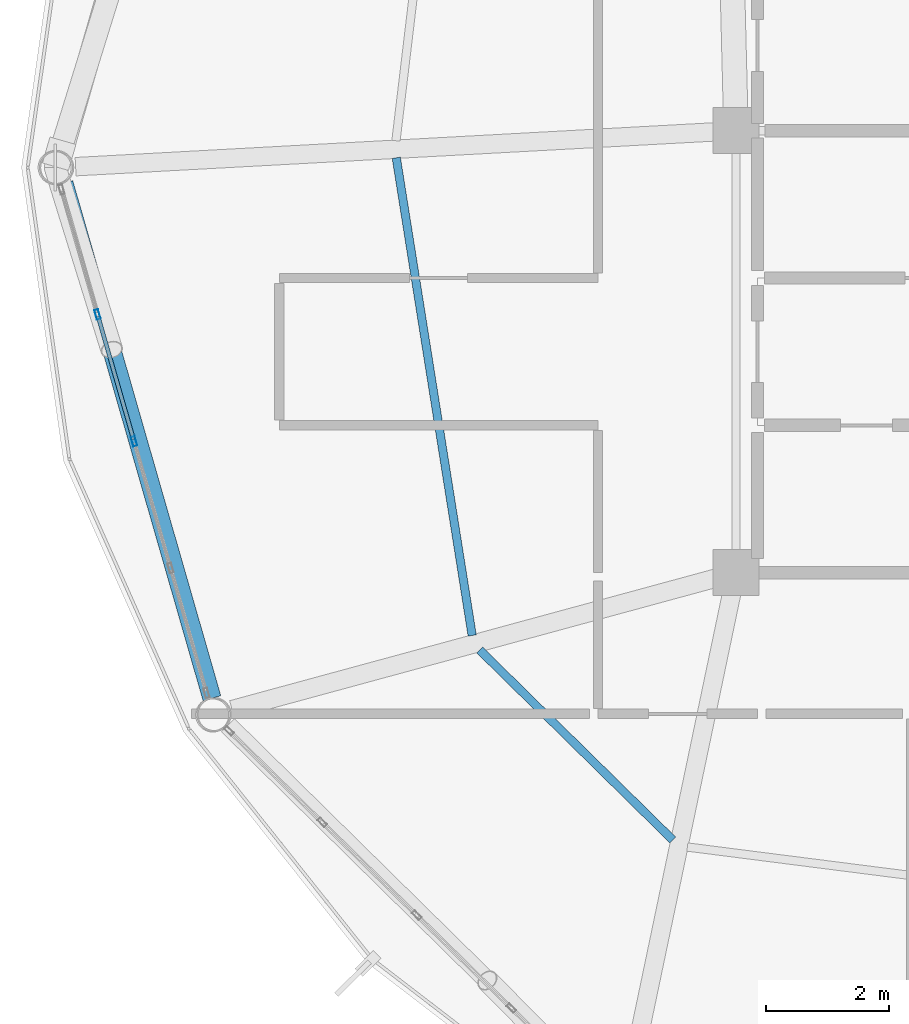
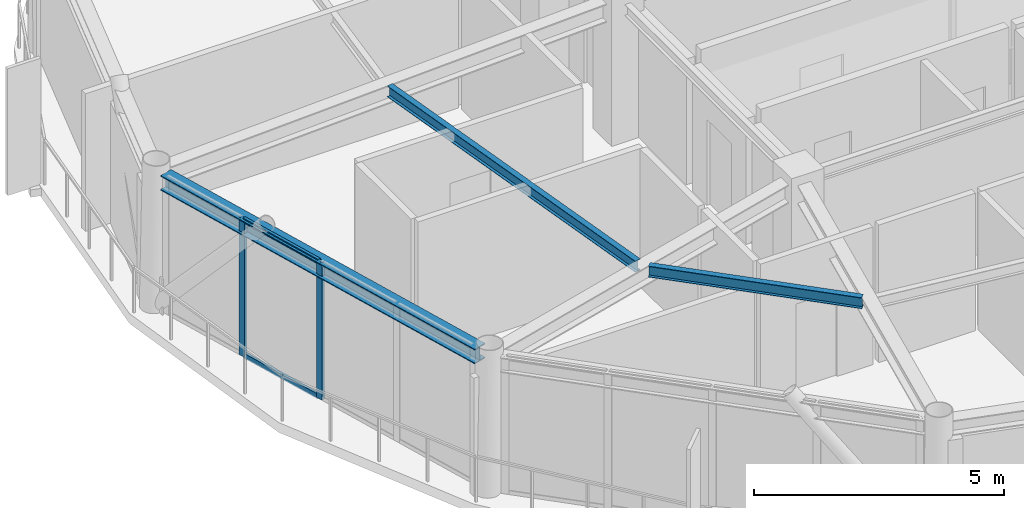
# One storey, part 5 of 25: 4 members, 3 beams, 1 element without a shape of its own.
"""IFC4 building model written with IfcOpenShell, lengths in metres."""

from ifc_helpers import new_model, si_unit, direction, frame, origin, origin_2d, place, context, subcontext, project, spatial, hollow_rectangle, i_section, extrude, material, layer, layer_set, material_profile, profile_set, type_object, element, aggregate, save


model = new_model("IFC4")

# Units and contexts
model_context = context("Model", 3, precision=1e-05, world=origin(), true_north=direction((0.0, 1.0)))
body_context = subcontext(model_context, "Body", "Model", "MODEL_VIEW")
ifc_project = project(units=[si_unit("LENGTHUNIT", "METRE"), si_unit("AREAUNIT", "SQUARE_METRE"), si_unit("VOLUMEUNIT", "CUBIC_METRE"), si_unit("PLANEANGLEUNIT", "RADIAN"), si_unit("MASSUNIT", "GRAM", prefix="KILO")], contexts=[model_context])

# Site, building, storey
site_placement = place(None, origin())
site = spatial("IfcSite", under=ifc_project, at=site_placement, CompositionType="ELEMENT")
building_placement = place(site_placement, origin())
building = spatial("IfcBuilding", under=site, at=building_placement, Name="Varnakorn Sky Granary", CompositionType="ELEMENT")
storey_placement = place(building_placement, frame((0.0, 0.0, 259.800048828125)))
storey = spatial("IfcBuildingStorey", under=building, at=storey_placement, Name="L66", CompositionType="ELEMENT", Elevation=259.800048828125)

# Beams
ifc_material_1 = material(Name="Steel S355JR", Category="steel")
ifc_material_profile_1 = material_profile(ifc_material_1, i_section(OverallWidth=0.135009765625, OverallDepth=0.27001953125, WebThickness=0.006591796875, FlangeThickness=0.01025390625, at=origin_2d()), Name="IPE 270")
ifc_profile_set_1 = profile_set([ifc_material_profile_1], Name="Steel S355JR")
beam_type_1 = type_object("IfcBeamType", Name="BM-SEC-Z5", PredefinedType="BEAM", material=ifc_profile_set_1)
beam_1_placement = place(storey_placement, frame((-7.88525390625, 0.1591796875, 3.224853515625), z_axis=(0.156939254479, -0.987608257561, 0.0), x_axis=(0.987608257561, 0.156939254479, 0.0)))
element("IfcBeam", 1, at=beam_1_placement, inside=storey, type_object=beam_type_1, Name="Secondary Floor Chord Beam MSB07 L66", PredefinedType="BEAM", context=body_context, shape_type="SweptSolid", body=[
    extrude(i_section(OverallWidth=0.135009765625, OverallDepth=0.27001953125, WebThickness=0.006591796875, FlangeThickness=0.01025390625, at=origin_2d()), origin(), (0.0, 0.0, 1.0), 7.880859375),
])
beam_2_placement = place(storey_placement, frame((-6.526611328125, -7.860595703125, 3.224853515625), z_axis=(0.712893185252, -0.701272633447, 0.0), x_axis=(0.701272633447, 0.712893185252, 0.0)))
element("IfcBeam", 2, at=beam_2_placement, inside=storey, type_object=beam_type_1, Name="Secondary Floor Chord Beam MSB08 L66", PredefinedType="BEAM", context=body_context, shape_type="SweptSolid", body=[
    extrude(i_section(OverallWidth=0.135009765625, OverallDepth=0.27001953125, WebThickness=0.006591796875, FlangeThickness=0.01025390625, at=origin_2d()), origin(), (0.0, 0.0, 1.0), 4.411865234375),
])
ifc_material_profile_2 = material_profile(ifc_material_1, i_section(OverallWidth=0.300048828125, OverallDepth=0.360107421875, WebThickness=0.012451171875, FlangeThickness=0.0224609375, at=origin_2d()), Name="HE 360 B")
ifc_profile_set_2 = profile_set([ifc_material_profile_2], Name="Steel S355JR")
beam_type_2 = type_object("IfcBeamType", Name="BM-SPD-Z5", PredefinedType="SPANDREL", material=ifc_profile_set_2)
beam_3_placement = place(storey_placement, frame((-13.30078125, -0.254150390625, 3.179931640625), z_axis=(0.276227370321, -0.961092316006, 0.0), x_axis=(0.961092316006, 0.276227370321, 0.0)))
element("IfcBeam", 3, at=beam_3_placement, inside=storey, type_object=beam_type_2, Name="Perimeter Spandrel Ring Beam RB07 L66", PredefinedType="SPANDREL", context=body_context, shape_type="SweptSolid", body=[
    extrude(i_section(OverallWidth=0.300048828125, OverallDepth=0.360107421875, WebThickness=0.012451171875, FlangeThickness=0.0224609375, at=origin_2d()), origin(), (0.0, 0.0, 1.0), 8.732421875),
])

# Curtain wall, members
ifc_material_2 = material(Name="Anodised Bronze Aluminium Alloy 6063-T6", Category="aluminium")
ifc_layer = layer(ifc_material_2, 0.159912109375, Name="Anodised Bronze Aluminium Alloy 6063-T6")
ifc_layer_set = layer_set([ifc_layer], Name="Anodised Bronze Aluminium Alloy 6063-T6")
curtain_wall_type = type_object("IfcCurtainWallType", Name="CW-OFF-1", PredefinedType="USERDEFINED", material=ifc_layer_set)
curtain_wall_placement = place(storey_placement, origin())
curtain_wall = element("IfcCurtainWall", 4, at=curtain_wall_placement, inside=storey, type_object=curtain_wall_type, Name="Unitised Curtain Wall CW6 CW-L66-B07", ObjectType="CURTAIN WALL", PredefinedType="USERDEFINED")
ifc_material_profile_3 = material_profile(ifc_material_2, hollow_rectangle(XDim=0.06494140625, YDim=0.159912109375, WallThickness=0.00341796875, at=origin_2d()), Name="ALU MULL 65x160")
ifc_profile_set_3 = profile_set([ifc_material_profile_3], Name="Anodised Bronze Aluminium Alloy 6063-T6")
member_type_1 = type_object("IfcMemberType", Name="CW-OFF-1-MULL", PredefinedType="MULLION", material=ifc_profile_set_3)
member_1_placement = place(storey_placement, frame((-12.158203125, -4.458984375, 0.0), z_axis=(0.0, 0.0, 1.0), x_axis=(-0.960963029638, -0.27667680725, 0.0)))
member_1 = element("IfcMember", 5, at=member_1_placement, type_object=member_type_1, Name="CW6 mullion 3", PredefinedType="MULLION", context=body_context, shape_type="SweptSolid", body=[
    extrude(hollow_rectangle(XDim=0.06494140625, YDim=0.159912109375, WallThickness=0.00341796875, at=origin_2d()), origin(), (0.0, 0.0, 1.0), 3.35986328125),
])
member_2_placement = place(storey_placement, frame((-12.753173828125, -2.392578125, 0.0), z_axis=(0.0, 0.0, 1.0), x_axis=(-0.960963029638, -0.27667680725, 0.0)))
member_2 = element("IfcMember", 6, at=member_2_placement, type_object=member_type_1, Name="CW6 mullion 4", PredefinedType="MULLION", context=body_context, shape_type="SweptSolid", body=[
    extrude(hollow_rectangle(XDim=0.06494140625, YDim=0.159912109375, WallThickness=0.00341796875, at=origin_2d()), origin(), (0.0, 0.0, 1.0), 3.35986328125),
])
ifc_material_profile_4 = material_profile(ifc_material_2, hollow_rectangle(XDim=0.06494140625, YDim=0.1201171875, WallThickness=0.00341796875, at=origin_2d()), Name="ALU TRAN 65x120")
ifc_profile_set_4 = profile_set([ifc_material_profile_4], Name="Anodised Bronze Aluminium Alloy 6063-T6")
member_type_2 = type_object("IfcMemberType", Name="CW-OFF-1-TRAN", PredefinedType="USERDEFINED", material=ifc_profile_set_4)
member_3_placement = place(storey_placement, frame((-12.167236328125, -4.427734375, 0.032470703125), z_axis=(-0.276653451318, 0.960969753881, 0.0), x_axis=(-0.960969753881, -0.276653451318, 0.0)))
member_3 = element("IfcMember", 7, at=member_3_placement, type_object=member_type_2, Name="CW6 transom 3.1", ObjectType="TRANSOM", PredefinedType="USERDEFINED", context=body_context, shape_type="SweptSolid", body=[
    extrude(hollow_rectangle(XDim=0.06494140625, YDim=0.1201171875, WallThickness=0.00341796875, at=origin_2d()), origin(), (0.0, 0.0, 1.0), 2.085205078125),
])
member_4_placement = place(storey_placement, frame((-12.167236328125, -4.427734375, 3.327392578125), z_axis=(-0.276653451318, 0.960969753881, 0.0), x_axis=(-0.960969753881, -0.276653451318, 0.0)))
member_4 = element("IfcMember", 8, at=member_4_placement, type_object=member_type_2, Name="CW6 transom 3.2", ObjectType="TRANSOM", PredefinedType="USERDEFINED", context=body_context, shape_type="SweptSolid", body=[
    extrude(hollow_rectangle(XDim=0.06494140625, YDim=0.1201171875, WallThickness=0.00341796875, at=origin_2d()), origin(), (0.0, 0.0, 1.0), 2.085205078125),
])
aggregate(curtain_wall, [member_1, member_2, member_3, member_4])

save(model, "model.ifc")
